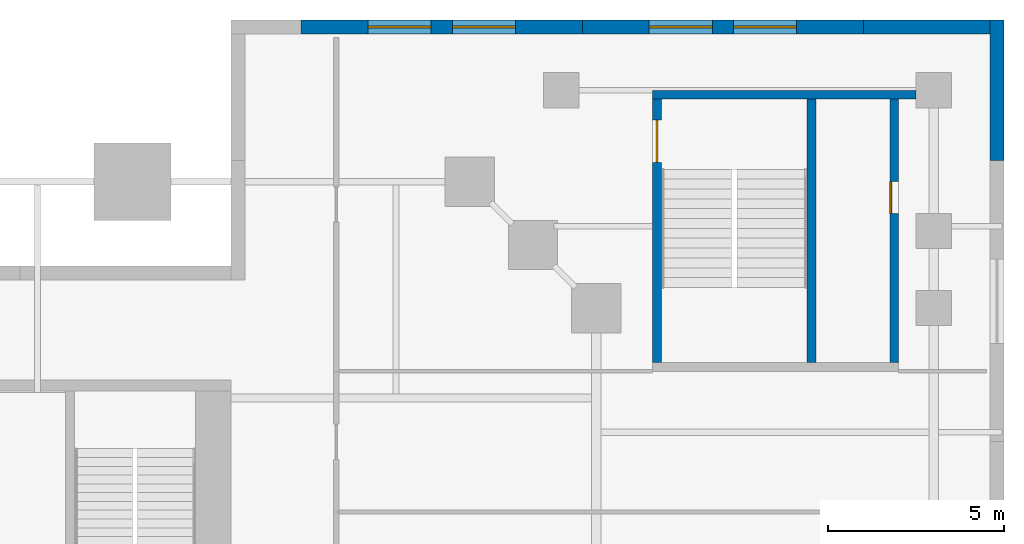
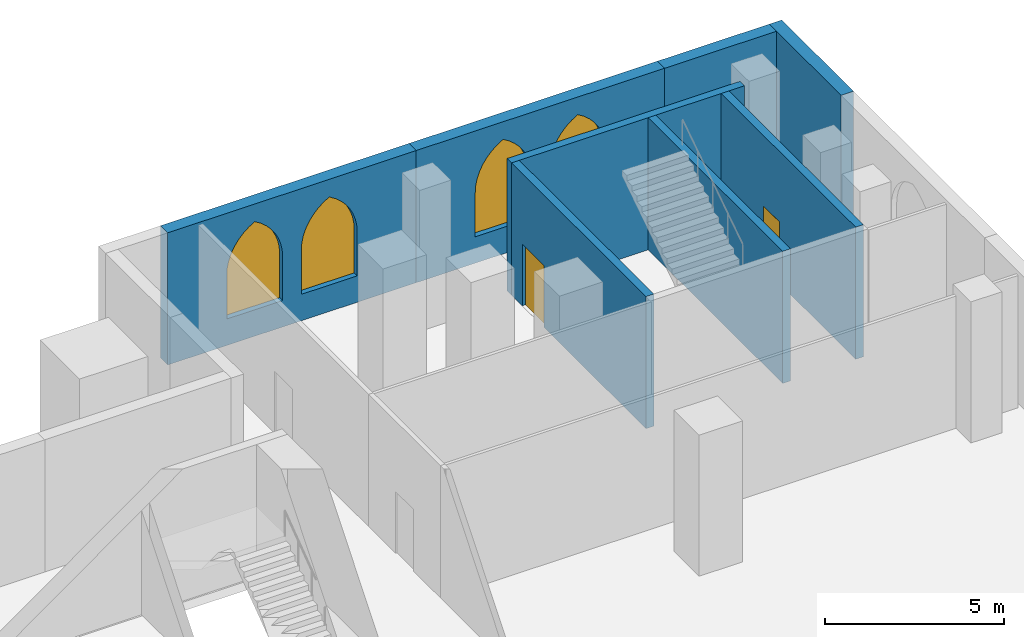
# One storey, part 17 of 19: 8 walls, 4 windows, 2 doors, 6 openings.
"""IFC4 building model written with IfcOpenShell, lengths in metres."""

from ifc_helpers import new_model, si_unit, direction, frame, frame_2d, origin, place, context, subcontext, project, spatial, polyline, rectangle, outline, extrude, material, layer, layer_set, type_object, element, fill, save


model = new_model("IFC4")

# Units and contexts
model_context = context("Model", 3, precision=1e-05, world=origin(), true_north=direction((0.0, 1.0)))
body_context = subcontext(model_context, "Body", "Model", "MODEL_VIEW")
ifc_project = project(units=[si_unit("LENGTHUNIT", "METRE"), si_unit("AREAUNIT", "SQUARE_METRE"), si_unit("VOLUMEUNIT", "CUBIC_METRE"), si_unit("PLANEANGLEUNIT", "RADIAN"), si_unit("MASSUNIT", "GRAM", prefix="KILO")], contexts=[model_context])

# Site, building, storey
site_placement = place(None, origin())
site = spatial("IfcSite", under=ifc_project, at=site_placement, CompositionType="ELEMENT")
building_placement = place(site_placement, origin())
building = spatial("IfcBuilding", under=site, at=building_placement, Name="Ogive Exchange Tower", CompositionType="ELEMENT")
storey_placement = place(building_placement, frame((0.0, 0.0, 24.0)))
storey = spatial("IfcBuildingStorey", under=building, at=storey_placement, Name="L04", CompositionType="ELEMENT", Elevation=24.0)

# Walls
ifc_material_1 = material(Name="Precast concrete C40/50", Category="concrete")
ifc_layer_1 = layer(ifc_material_1, 0.39990234375)
ifc_layer_set_1 = layer_set([ifc_layer_1], Name="Limestone-faced wall 400")
wall_type_1 = type_object("IfcWallType", Name="Limestone-faced wall 400", PredefinedType="STANDARD", material=ifc_layer_set_1)
wall_1_placement = place(storey_placement, frame((43.800048828125, 32.0, 0.0), z_axis=(0.0, 0.0, 1.0), x_axis=(0.0, 1.0, 0.0)))
element("IfcWall", 1, at=wall_1_placement, inside=storey, type_object=wall_type_1, Name="Podium wall E12", PredefinedType="STANDARD", context=body_context, shape_type="SweptSolid", body=[
    extrude(rectangle(XDim=4.0, YDim=0.39990234375, at=frame_2d((2.0, 0.0))), origin(), (0.0, 0.0, 1.0), 4.5),
])
wall_2_placement = place(storey_placement, frame((43.60009765625, 35.800048828125, 0.0), z_axis=(0.0, 0.0, 1.0), x_axis=(-1.0, 0.0, 0.0)))
element("IfcWall", 2, at=wall_2_placement, inside=storey, type_object=wall_type_1, Name="Podium wall N1", PredefinedType="STANDARD", context=body_context, shape_type="SweptSolid", body=[
    extrude(rectangle(XDim=3.60009765625, YDim=0.39990234375, at=frame_2d((1.800048828125, 0.0))), origin(), (0.0, 0.0, 1.0), 4.5),
])

# Wall, openings, windows
wall_3_placement = place(storey_placement, frame((40.0, 35.800048828125, 0.0), z_axis=(0.0, 0.0, 1.0), x_axis=(-1.0, 0.0, 0.0)))
wall_3 = element("IfcWall", 3, at=wall_3_placement, inside=storey, type_object=wall_type_1, Name="Podium wall N2", PredefinedType="STANDARD", context=body_context, shape_type="SweptSolid", body=[
    extrude(rectangle(XDim=8.0, YDim=0.39990234375, at=frame_2d((4.0, 0.0))), origin(), (0.0, 0.0, 1.0), 4.5),
])
opening_1_placement = place(wall_3_placement, frame((1.89990234375, 0.0, 0.89990234375)))
opening_1 = element("IfcOpeningElement", 4, at=opening_1_placement, cuts=wall_3, Name="Opening WQ300", PredefinedType="OPENING", context=body_context, shape_type="SweptSolid", body=[
    extrude(outline(polyline([(0.0, 0.0), (1.800048828125, 0.0), (1.800048828125, 1.5), (1.78466796875, 1.72900390625), (1.73828125, 1.953857421875), (1.662353515625, 2.17041015625), (1.557861328125, 2.374755859375), (1.4267578125, 2.56298828125), (1.271484375, 2.73193359375), (1.0947265625, 2.878662109375), (0.89990234375, 3.0), (0.705322265625, 2.878662109375), (0.528564453125, 2.73193359375), (0.373291015625, 2.56298828125), (0.2421875, 2.374755859375), (0.1376953125, 2.17041015625), (0.061767578125, 1.953857421875), (0.015380859375, 1.72900390625), (0.0, 1.5), (0.0, 0.0)])), frame((0.0, 0.2099609375, 0.0), z_axis=(0.0, -1.0, 0.0), x_axis=(1.0, 0.0, 0.0)), (0.0, 0.0, 1.0), 0.419921875),
])
opening_2_placement = place(wall_3_placement, frame((4.300048828125, 0.0, 0.89990234375)))
opening_2 = element("IfcOpeningElement", 5, at=opening_2_placement, cuts=wall_3, Name="Opening WQ300", PredefinedType="OPENING", context=body_context, shape_type="SweptSolid", body=[
    extrude(outline(polyline([(0.0, 0.0), (1.800048828125, 0.0), (1.800048828125, 1.5), (1.78466796875, 1.72900390625), (1.73828125, 1.953857421875), (1.662353515625, 2.17041015625), (1.557861328125, 2.374755859375), (1.4267578125, 2.56298828125), (1.271484375, 2.73193359375), (1.0947265625, 2.878662109375), (0.89990234375, 3.0), (0.705322265625, 2.878662109375), (0.528564453125, 2.73193359375), (0.373291015625, 2.56298828125), (0.2421875, 2.374755859375), (0.1376953125, 2.17041015625), (0.061767578125, 1.953857421875), (0.015380859375, 1.72900390625), (0.0, 1.5), (0.0, 0.0)])), frame((0.0, 0.2099609375, 0.0), z_axis=(0.0, -1.0, 0.0), x_axis=(1.0, 0.0, 0.0)), (0.0, 0.0, 1.0), 0.419921875),
])
ifc_material_2 = material(Name="Clear glass in bronze frame", Category="glass")
window_type = type_object("IfcWindowType", Name="Podium paired lancet 1800 x 3000", PartitioningType="DOUBLE_PANEL_VERTICAL", PredefinedType="WINDOW", material=ifc_material_2)
window_1_placement = place(opening_1_placement, origin())
window_1 = element("IfcWindow", 6, at=window_1_placement, inside=storey, type_object=window_type, Name="Podium paired lancet N2.1", OverallHeight=3.0, OverallWidth=1.800048828125, PartitioningType="DOUBLE_PANEL_VERTICAL", PredefinedType="WINDOW", context=body_context, shape_type="SweptSolid", body=[
    extrude(outline(polyline([(0.0, 0.0), (1.800048828125, 0.0), (1.800048828125, 1.5), (1.78466796875, 1.72900390625), (1.73828125, 1.953857421875), (1.662353515625, 2.17041015625), (1.557861328125, 2.374755859375), (1.4267578125, 2.56298828125), (1.271484375, 2.73193359375), (1.0947265625, 2.878662109375), (0.89990234375, 3.0), (0.705322265625, 2.878662109375), (0.528564453125, 2.73193359375), (0.373291015625, 2.56298828125), (0.2421875, 2.374755859375), (0.1376953125, 2.17041015625), (0.061767578125, 1.953857421875), (0.015380859375, 1.72900390625), (0.0, 1.5), (0.0, 0.0)])), frame((0.0, 0.030029296875, 0.0), z_axis=(0.0, -1.0, 0.0), x_axis=(1.0, 0.0, 0.0)), (0.0, 0.0, 1.0), 0.06005859375),
])
fill(opening_1, window_1)
window_2_placement = place(opening_2_placement, origin())
window_2 = element("IfcWindow", 7, at=window_2_placement, inside=storey, type_object=window_type, Name="Podium paired lancet N2.2", OverallHeight=3.0, OverallWidth=1.800048828125, PartitioningType="DOUBLE_PANEL_VERTICAL", PredefinedType="WINDOW", context=body_context, shape_type="SweptSolid", body=[
    extrude(outline(polyline([(0.0, 0.0), (1.800048828125, 0.0), (1.800048828125, 1.5), (1.78466796875, 1.72900390625), (1.73828125, 1.953857421875), (1.662353515625, 2.17041015625), (1.557861328125, 2.374755859375), (1.4267578125, 2.56298828125), (1.271484375, 2.73193359375), (1.0947265625, 2.878662109375), (0.89990234375, 3.0), (0.705322265625, 2.878662109375), (0.528564453125, 2.73193359375), (0.373291015625, 2.56298828125), (0.2421875, 2.374755859375), (0.1376953125, 2.17041015625), (0.061767578125, 1.953857421875), (0.015380859375, 1.72900390625), (0.0, 1.5), (0.0, 0.0)])), frame((0.0, 0.030029296875, 0.0), z_axis=(0.0, -1.0, 0.0), x_axis=(1.0, 0.0, 0.0)), (0.0, 0.0, 1.0), 0.06005859375),
])
fill(opening_2, window_2)

wall_4_placement = place(storey_placement, frame((32.0, 35.800048828125, 0.0), z_axis=(0.0, 0.0, 1.0), x_axis=(-1.0, 0.0, 0.0)))
wall_4 = element("IfcWall", 8, at=wall_4_placement, inside=storey, type_object=wall_type_1, Name="Podium wall N3", PredefinedType="STANDARD", context=body_context, shape_type="SweptSolid", body=[
    extrude(rectangle(XDim=8.0, YDim=0.39990234375, at=frame_2d((4.0, 0.0))), origin(), (0.0, 0.0, 1.0), 4.5),
])
opening_3_placement = place(wall_4_placement, frame((1.89990234375, 0.0, 0.89990234375)))
opening_3 = element("IfcOpeningElement", 9, at=opening_3_placement, cuts=wall_4, Name="Opening WQ300", PredefinedType="OPENING", context=body_context, shape_type="SweptSolid", body=[
    extrude(outline(polyline([(0.0, 0.0), (1.800048828125, 0.0), (1.800048828125, 1.5), (1.78466796875, 1.72900390625), (1.73828125, 1.953857421875), (1.662353515625, 2.17041015625), (1.557861328125, 2.374755859375), (1.4267578125, 2.56298828125), (1.271484375, 2.73193359375), (1.0947265625, 2.878662109375), (0.89990234375, 3.0), (0.705322265625, 2.878662109375), (0.528564453125, 2.73193359375), (0.373291015625, 2.56298828125), (0.2421875, 2.374755859375), (0.1376953125, 2.17041015625), (0.061767578125, 1.953857421875), (0.015380859375, 1.72900390625), (0.0, 1.5), (0.0, 0.0)])), frame((0.0, 0.2099609375, 0.0), z_axis=(0.0, -1.0, 0.0), x_axis=(1.0, 0.0, 0.0)), (0.0, 0.0, 1.0), 0.419921875),
])
opening_4_placement = place(wall_4_placement, frame((4.300048828125, 0.0, 0.89990234375)))
opening_4 = element("IfcOpeningElement", 10, at=opening_4_placement, cuts=wall_4, Name="Opening WQ300", PredefinedType="OPENING", context=body_context, shape_type="SweptSolid", body=[
    extrude(outline(polyline([(0.0, 0.0), (1.800048828125, 0.0), (1.800048828125, 1.5), (1.78466796875, 1.72900390625), (1.73828125, 1.953857421875), (1.662353515625, 2.17041015625), (1.557861328125, 2.374755859375), (1.4267578125, 2.56298828125), (1.271484375, 2.73193359375), (1.0947265625, 2.878662109375), (0.89990234375, 3.0), (0.705322265625, 2.878662109375), (0.528564453125, 2.73193359375), (0.373291015625, 2.56298828125), (0.2421875, 2.374755859375), (0.1376953125, 2.17041015625), (0.061767578125, 1.953857421875), (0.015380859375, 1.72900390625), (0.0, 1.5), (0.0, 0.0)])), frame((0.0, 0.2099609375, 0.0), z_axis=(0.0, -1.0, 0.0), x_axis=(1.0, 0.0, 0.0)), (0.0, 0.0, 1.0), 0.419921875),
])
window_3_placement = place(opening_3_placement, origin())
window_3 = element("IfcWindow", 11, at=window_3_placement, inside=storey, type_object=window_type, Name="Podium paired lancet N3.1", OverallHeight=3.0, OverallWidth=1.800048828125, PartitioningType="DOUBLE_PANEL_VERTICAL", PredefinedType="WINDOW", context=body_context, shape_type="SweptSolid", body=[
    extrude(outline(polyline([(0.0, 0.0), (1.800048828125, 0.0), (1.800048828125, 1.5), (1.78466796875, 1.72900390625), (1.73828125, 1.953857421875), (1.662353515625, 2.17041015625), (1.557861328125, 2.374755859375), (1.4267578125, 2.56298828125), (1.271484375, 2.73193359375), (1.0947265625, 2.878662109375), (0.89990234375, 3.0), (0.705322265625, 2.878662109375), (0.528564453125, 2.73193359375), (0.373291015625, 2.56298828125), (0.2421875, 2.374755859375), (0.1376953125, 2.17041015625), (0.061767578125, 1.953857421875), (0.015380859375, 1.72900390625), (0.0, 1.5), (0.0, 0.0)])), frame((0.0, 0.030029296875, 0.0), z_axis=(0.0, -1.0, 0.0), x_axis=(1.0, 0.0, 0.0)), (0.0, 0.0, 1.0), 0.06005859375),
])
fill(opening_3, window_3)
window_4_placement = place(opening_4_placement, origin())
window_4 = element("IfcWindow", 12, at=window_4_placement, inside=storey, type_object=window_type, Name="Podium paired lancet N3.2", OverallHeight=3.0, OverallWidth=1.800048828125, PartitioningType="DOUBLE_PANEL_VERTICAL", PredefinedType="WINDOW", context=body_context, shape_type="SweptSolid", body=[
    extrude(outline(polyline([(0.0, 0.0), (1.800048828125, 0.0), (1.800048828125, 1.5), (1.78466796875, 1.72900390625), (1.73828125, 1.953857421875), (1.662353515625, 2.17041015625), (1.557861328125, 2.374755859375), (1.4267578125, 2.56298828125), (1.271484375, 2.73193359375), (1.0947265625, 2.878662109375), (0.89990234375, 3.0), (0.705322265625, 2.878662109375), (0.528564453125, 2.73193359375), (0.373291015625, 2.56298828125), (0.2421875, 2.374755859375), (0.1376953125, 2.17041015625), (0.061767578125, 1.953857421875), (0.015380859375, 1.72900390625), (0.0, 1.5), (0.0, 0.0)])), frame((0.0, 0.030029296875, 0.0), z_axis=(0.0, -1.0, 0.0), x_axis=(1.0, 0.0, 0.0)), (0.0, 0.0, 1.0), 0.06005859375),
])
fill(opening_4, window_4)

# Wall
ifc_material_3 = material(Name="Concrete C70/85", Category="concrete")
ifc_layer_2 = layer(ifc_material_3, 0.25)
ifc_layer_set_2 = layer_set([ifc_layer_2], Name="RC core wall 250 C70/85")
wall_type_2 = type_object("IfcWallType", Name="RC core wall 250 C70/85", PredefinedType="SHEAR", material=ifc_layer_set_2)
wall_5_placement = place(storey_placement, frame((34.0, 33.875, 0.0), z_axis=(0.0, 0.0, 1.0), x_axis=(1.0, 0.0, 0.0)))
element("IfcWall", 13, at=wall_5_placement, inside=storey, type_object=wall_type_2, Name="PS4 north wall", PredefinedType="SHEAR", context=body_context, shape_type="SweptSolid", body=[
    extrude(rectangle(XDim=7.5, YDim=0.25, at=frame_2d((3.75, 0.0))), origin(), (0.0, 0.0, 1.0), 4.5),
])

# Wall, opening, door
wall_6_placement = place(storey_placement, frame((34.125, 26.25, 0.0), z_axis=(0.0, 0.0, 1.0), x_axis=(0.0, 1.0, 0.0)))
wall_6 = element("IfcWall", 14, at=wall_6_placement, inside=storey, type_object=wall_type_2, Name="PS4 west wall", PredefinedType="SHEAR", context=body_context, shape_type="SweptSolid", body=[
    extrude(rectangle(XDim=7.5, YDim=0.25, at=frame_2d((3.75, 0.0))), origin(), (0.0, 0.0, 1.0), 4.5),
])
opening_5_placement = place(wall_6_placement, frame((5.699951171875, 0.0, 0.0)))
opening_5 = element("IfcOpeningElement", 15, at=opening_5_placement, cuts=wall_6, Name="Opening L04-C50", PredefinedType="OPENING", context=body_context, shape_type="SweptSolid", body=[
    extrude(rectangle(XDim=1.199951171875, YDim=2.10009765625, at=frame_2d((0.60009765625, 1.050048828125))), frame((0.0, 0.135009765625, 0.0), z_axis=(0.0, -1.0, 0.0), x_axis=(1.0, 0.0, 0.0)), (0.0, 0.0, 1.0), 0.27001953125),
])
ifc_material_4 = material(Name="Steel fire door", Category="steel")
door_type_1 = type_object("IfcDoorType", Name="Stair door FD90 1200 x 2100", OperationType="NOTDEFINED", PredefinedType="DOOR", material=ifc_material_4)
door_1_placement = place(opening_5_placement, origin())
door_1 = element("IfcDoor", 16, at=door_1_placement, inside=storey, type_object=door_type_1, Name="Stair door", ObjectType="CD5", OperationType="SINGLE_SWING_LEFT", OverallHeight=2.10009765625, OverallWidth=1.199951171875, PredefinedType="DOOR", context=body_context, shape_type="SweptSolid", body=[
    extrude(rectangle(XDim=1.199951171875, YDim=2.10009765625, at=frame_2d((0.60009765625, 1.050048828125))), frame((0.0, 0.02490234375, 0.0), z_axis=(0.0, -1.0, 0.0), x_axis=(1.0, 0.0, 0.0)), (0.0, 0.0, 1.0), 0.050048828125),
])
fill(opening_5, door_1)

wall_7_placement = place(storey_placement, frame((40.875, 26.25, 0.0), z_axis=(0.0, 0.0, 1.0), x_axis=(0.0, 1.0, 0.0)))
wall_7 = element("IfcWall", 17, at=wall_7_placement, inside=storey, type_object=wall_type_2, Name="PS4 east wall", PredefinedType="SHEAR", context=body_context, shape_type="SweptSolid", body=[
    extrude(rectangle(XDim=7.5, YDim=0.25, at=frame_2d((3.75, 0.0))), origin(), (0.0, 0.0, 1.0), 4.5),
])
opening_6_placement = place(wall_7_placement, frame((4.25, 0.0, 0.0)))
opening_6 = element("IfcOpeningElement", 18, at=opening_6_placement, cuts=wall_7, Name="Opening L04-C51", PredefinedType="OPENING", context=body_context, shape_type="SweptSolid", body=[
    extrude(rectangle(XDim=0.89990234375, YDim=2.10009765625, at=frame_2d((0.449951171875, 1.050048828125))), frame((0.0, 0.135009765625, 0.0), z_axis=(0.0, -1.0, 0.0), x_axis=(1.0, 0.0, 0.0)), (0.0, 0.0, 1.0), 0.27001953125),
])
door_type_2 = type_object("IfcDoorType", Name="Riser door FD60 900 x 2100", OperationType="NOTDEFINED", PredefinedType="DOOR", material=ifc_material_4)
door_2_placement = place(opening_6_placement, frame((0.89990234375, 0.2001953125, 0.0), z_axis=(0.0, 0.0, 1.0), x_axis=(-1.0, 0.0, 0.0)))
door_2 = element("IfcDoor", 19, at=door_2_placement, inside=storey, type_object=door_type_2, Name="Riser door", ObjectType="CD2", OperationType="SINGLE_SWING_RIGHT", OverallHeight=2.10009765625, OverallWidth=0.89990234375, PredefinedType="DOOR", context=body_context, shape_type="SweptSolid", body=[
    extrude(rectangle(XDim=0.89990234375, YDim=2.10009765625, at=frame_2d((0.449951171875, 1.050048828125))), frame((0.0, 0.125, 0.0), z_axis=(0.0, -1.0, 0.0), x_axis=(1.0, 0.0, 0.0)), (0.0, 0.0, 1.0), 0.050048828125),
])
fill(opening_6, door_2)

# Wall
wall_8_placement = place(storey_placement, frame((38.52490234375, 26.25, 0.0), z_axis=(0.0, 0.0, 1.0), x_axis=(0.0, 1.0, 0.0)))
element("IfcWall", 20, at=wall_8_placement, inside=storey, type_object=wall_type_2, Name="PS4 partition wall", PredefinedType="SHEAR", context=body_context, shape_type="SweptSolid", body=[
    extrude(rectangle(XDim=7.5, YDim=0.25, at=frame_2d((3.75, 0.0))), origin(), (0.0, 0.0, 1.0), 4.5),
])

save(model, "model.ifc")
